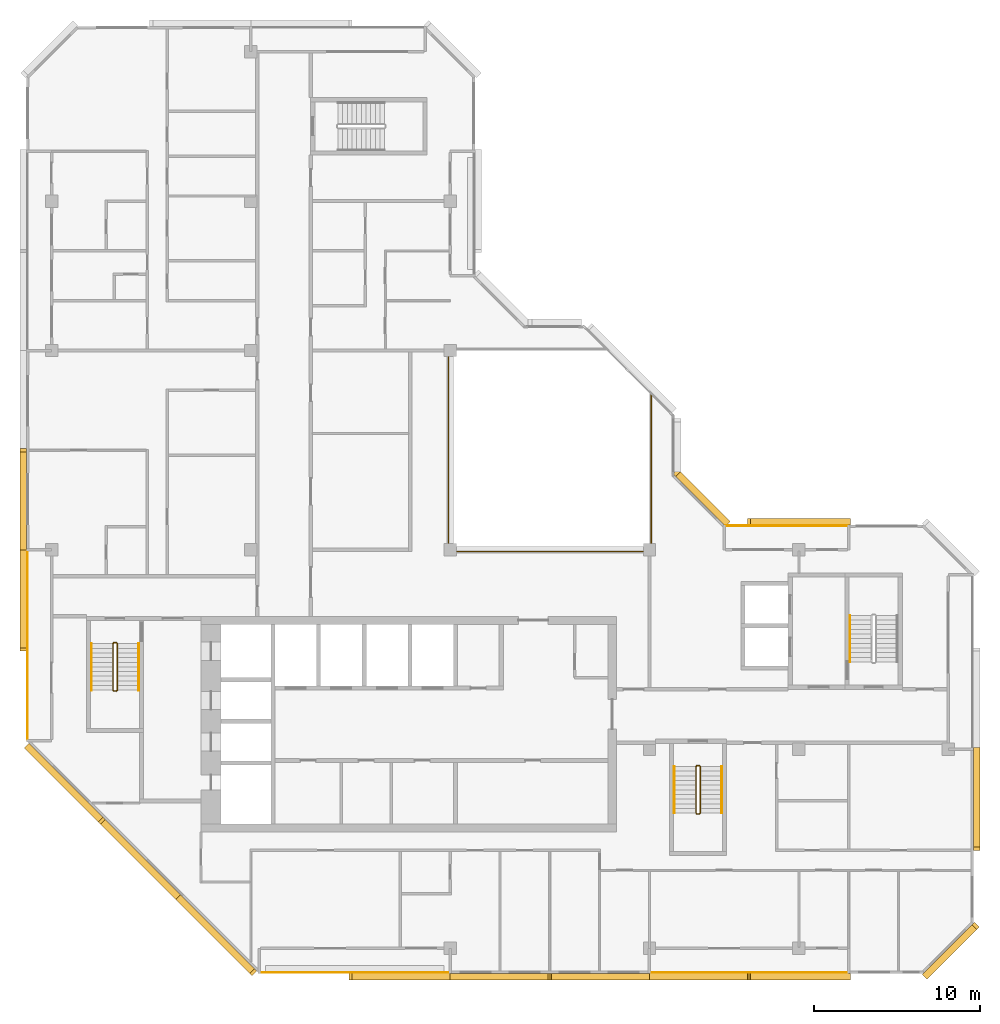
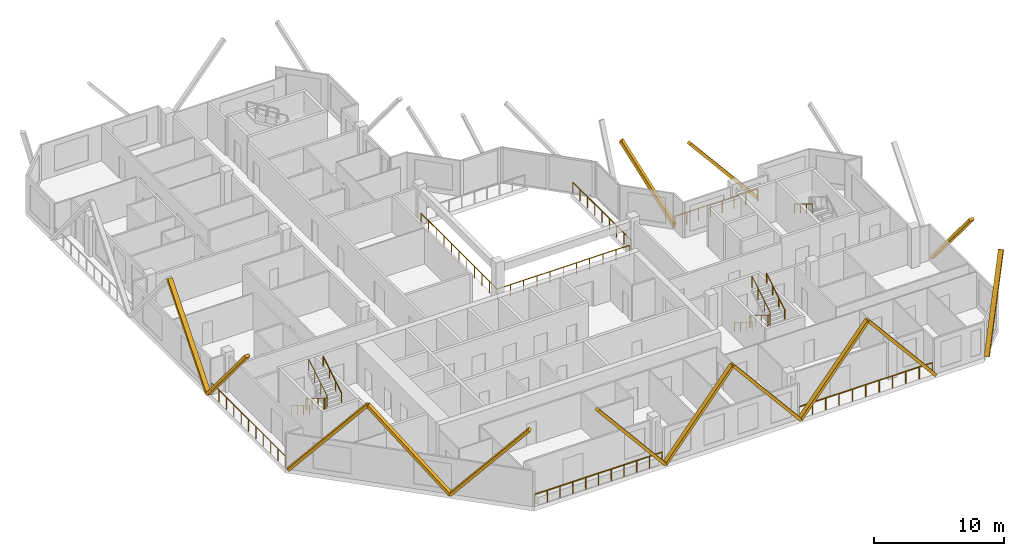
# One storey, part 11 of 12: 14 coverings, 13 railings.
"""IFC4 building model written with IfcOpenShell, lengths in metres."""

from ifc_helpers import new_model, si_unit, direction, frame, origin, origin_2d, place, context, subcontext, project, spatial, rectangle, extrude, material, material_profile, profile_set, type_object, element, save


model = new_model("IFC4")

# Units and contexts
model_context = context("Model", 3, precision=1e-05, world=origin(), true_north=direction((0.0, 1.0)))
body_context = subcontext(model_context, "Body", "Model", "MODEL_VIEW")
ifc_project = project(units=[si_unit("LENGTHUNIT", "METRE"), si_unit("AREAUNIT", "SQUARE_METRE"), si_unit("VOLUMEUNIT", "CUBIC_METRE"), si_unit("PLANEANGLEUNIT", "RADIAN"), si_unit("MASSUNIT", "GRAM", prefix="KILO")], contexts=[model_context])

# Site, building, storey
site_placement = place(None, origin())
site = spatial("IfcSite", under=ifc_project, at=site_placement, CompositionType="ELEMENT")
building_placement = place(site_placement, origin())
building = spatial("IfcBuilding", under=site, at=building_placement, Name="Chenar Terraces", CompositionType="ELEMENT")
storey_placement = place(building_placement, frame((0.0, 0.0, 346.39990234375)))
storey = spatial("IfcBuildingStorey", under=building, at=storey_placement, Name="L80", CompositionType="ELEMENT", Elevation=346.39990234375)

# Railings
ifc_material_1 = material(Name="Powder-coated steel", Category="steel")
railing_type_1 = type_object("IfcRailingType", Name="Guard 1100 steel rail with glass infill", PredefinedType="GUARDRAIL", material=ifc_material_1)
railing_1_placement = place(storey_placement, frame((23.89990234375, 35.625, 0.0)))
element("IfcRailing", 1, at=railing_1_placement, inside=storey, type_object=railing_type_1, Name="Guard L80-1", PredefinedType="GUARDRAIL", context=body_context, shape_type="SweptSolid", body=[
    extrude(rectangle(XDim=0.06005859375, YDim=0.06005859375, at=origin_2d()), frame((0.0, 0.0, 1.070068359375), z_axis=(0.0, -1.0, 0.0), x_axis=(1.0, 0.0, 0.0)), (0.0, 0.0, 1.0), 11.72509765625),
    extrude(rectangle(XDim=0.06005859375, YDim=0.06005859375, at=origin_2d()), frame((0.0, -11.72509765625, 1.070068359375), z_axis=(1.0, 0.0, 0.0), x_axis=(0.0, 1.0, 0.0)), (0.0, 0.0, 1.0), 11.72509765625),
    extrude(rectangle(XDim=0.050048828125, YDim=0.050048828125, at=origin_2d()), origin(), (0.0, 0.0, 1.0), 1.0400390625),
    extrude(rectangle(XDim=0.050048828125, YDim=0.050048828125, at=origin_2d()), frame((0.0, -1.172607421875, 0.0)), (0.0, 0.0, 1.0), 1.0400390625),
    extrude(rectangle(XDim=0.050048828125, YDim=0.050048828125, at=origin_2d()), frame((0.0, -2.344970703125, 0.0)), (0.0, 0.0, 1.0), 1.0400390625),
    extrude(rectangle(XDim=0.050048828125, YDim=0.050048828125, at=origin_2d()), frame((0.0, -3.517578125, 0.0)), (0.0, 0.0, 1.0), 1.0400390625),
    extrude(rectangle(XDim=0.050048828125, YDim=0.050048828125, at=origin_2d()), frame((0.0, -4.68994140625, 0.0)), (0.0, 0.0, 1.0), 1.0400390625),
    extrude(rectangle(XDim=0.050048828125, YDim=0.050048828125, at=origin_2d()), frame((0.0, -5.862548828125, 0.0)), (0.0, 0.0, 1.0), 1.0400390625),
    extrude(rectangle(XDim=0.050048828125, YDim=0.050048828125, at=origin_2d()), frame((0.0, -7.03515625, 0.0)), (0.0, 0.0, 1.0), 1.0400390625),
    extrude(rectangle(XDim=0.050048828125, YDim=0.050048828125, at=origin_2d()), frame((0.0, -8.20751953125, 0.0)), (0.0, 0.0, 1.0), 1.0400390625),
    extrude(rectangle(XDim=0.050048828125, YDim=0.050048828125, at=origin_2d()), frame((0.0, -9.380126953125, 0.0)), (0.0, 0.0, 1.0), 1.0400390625),
    extrude(rectangle(XDim=0.050048828125, YDim=0.050048828125, at=origin_2d()), frame((0.0, -10.552490234375, 0.0)), (0.0, 0.0, 1.0), 1.0400390625),
    extrude(rectangle(XDim=0.050048828125, YDim=0.050048828125, at=origin_2d()), frame((0.0, -11.72509765625, 0.0)), (0.0, 0.0, 1.0), 1.0400390625),
    extrude(rectangle(XDim=0.050048828125, YDim=0.050048828125, at=origin_2d()), frame((1.172607421875, -11.72509765625, 0.0)), (0.0, 0.0, 1.0), 1.0400390625),
    extrude(rectangle(XDim=0.050048828125, YDim=0.050048828125, at=origin_2d()), frame((2.344970703125, -11.72509765625, 0.0)), (0.0, 0.0, 1.0), 1.0400390625),
    extrude(rectangle(XDim=0.050048828125, YDim=0.050048828125, at=origin_2d()), frame((3.517578125, -11.72509765625, 0.0)), (0.0, 0.0, 1.0), 1.0400390625),
    extrude(rectangle(XDim=0.050048828125, YDim=0.050048828125, at=origin_2d()), frame((4.68994140625, -11.72509765625, 0.0)), (0.0, 0.0, 1.0), 1.0400390625),
    extrude(rectangle(XDim=0.050048828125, YDim=0.050048828125, at=origin_2d()), frame((5.862548828125, -11.72509765625, 0.0)), (0.0, 0.0, 1.0), 1.0400390625),
    extrude(rectangle(XDim=0.050048828125, YDim=0.050048828125, at=origin_2d()), frame((7.03515625, -11.72509765625, 0.0)), (0.0, 0.0, 1.0), 1.0400390625),
    extrude(rectangle(XDim=0.050048828125, YDim=0.050048828125, at=origin_2d()), frame((8.20751953125, -11.72509765625, 0.0)), (0.0, 0.0, 1.0), 1.0400390625),
    extrude(rectangle(XDim=0.050048828125, YDim=0.050048828125, at=origin_2d()), frame((9.380126953125, -11.72509765625, 0.0)), (0.0, 0.0, 1.0), 1.0400390625),
    extrude(rectangle(XDim=0.050048828125, YDim=0.050048828125, at=origin_2d()), frame((10.552490234375, -11.72509765625, 0.0)), (0.0, 0.0, 1.0), 1.0400390625),
    extrude(rectangle(XDim=0.050048828125, YDim=0.050048828125, at=origin_2d()), frame((11.72509765625, -11.72509765625, 0.0)), (0.0, 0.0, 1.0), 1.0400390625),
])
railing_2_placement = place(storey_placement, frame((36.10009765625, 24.425048828125, 0.0)))
element("IfcRailing", 2, at=railing_2_placement, inside=storey, type_object=railing_type_1, Name="Guard L80-3", PredefinedType="GUARDRAIL", context=body_context, shape_type="SweptSolid", body=[
    extrude(rectangle(XDim=0.06005859375, YDim=0.06005859375, at=origin_2d()), frame((0.0, 0.0, 1.070068359375), z_axis=(0.0, 1.0, 0.0), x_axis=(-1.0, 0.0, 0.0)), (0.0, 0.0, 1.0), 8.974853515625),
    extrude(rectangle(XDim=0.050048828125, YDim=0.050048828125, at=origin_2d()), origin(), (0.0, 0.0, 1.0), 1.0400390625),
    extrude(rectangle(XDim=0.050048828125, YDim=0.050048828125, at=origin_2d()), frame((0.0, 1.121826171875, 0.0)), (0.0, 0.0, 1.0), 1.0400390625),
    extrude(rectangle(XDim=0.050048828125, YDim=0.050048828125, at=origin_2d()), frame((0.0, 2.24365234375, 0.0)), (0.0, 0.0, 1.0), 1.0400390625),
    extrude(rectangle(XDim=0.050048828125, YDim=0.050048828125, at=origin_2d()), frame((0.0, 3.365478515625, 0.0)), (0.0, 0.0, 1.0), 1.0400390625),
    extrude(rectangle(XDim=0.050048828125, YDim=0.050048828125, at=origin_2d()), frame((0.0, 4.4873046875, 0.0)), (0.0, 0.0, 1.0), 1.0400390625),
    extrude(rectangle(XDim=0.050048828125, YDim=0.050048828125, at=origin_2d()), frame((0.0, 5.609375, 0.0)), (0.0, 0.0, 1.0), 1.0400390625),
    extrude(rectangle(XDim=0.050048828125, YDim=0.050048828125, at=origin_2d()), frame((0.0, 6.731201171875, 0.0)), (0.0, 0.0, 1.0), 1.0400390625),
    extrude(rectangle(XDim=0.050048828125, YDim=0.050048828125, at=origin_2d()), frame((0.0, 7.85302734375, 0.0)), (0.0, 0.0, 1.0), 1.0400390625),
    extrude(rectangle(XDim=0.050048828125, YDim=0.050048828125, at=origin_2d()), frame((0.0, 8.974853515625, 0.0)), (0.0, 0.0, 1.0), 1.0400390625),
])
ifc_material_2 = material(Name="Stainless steel and glass", Category="steel")
railing_type_2 = type_object("IfcRailingType", Name="Loggia guard 1150", PredefinedType="GUARDRAIL", material=ifc_material_2)
railing_3_placement = place(storey_placement, frame((47.925048828125, 25.449951171875, 0.0)))
element("IfcRailing", 3, at=railing_3_placement, inside=storey, type_object=railing_type_2, Name="Loggia guard", PredefinedType="GUARDRAIL", context=body_context, shape_type="SweptSolid", body=[
    extrude(rectangle(XDim=0.048095703125, YDim=0.048095703125, at=origin_2d()), frame((0.0, 0.0, 1.1259765625), z_axis=(-1.0, 0.0, 0.0), x_axis=(0.0, -1.0, 0.0)), (0.0, 0.0, 1.0), 7.35009765625),
    extrude(rectangle(XDim=0.0419921875, YDim=0.0419921875, at=origin_2d()), origin(), (0.0, 0.0, 1.0), 1.101806640625),
    extrude(rectangle(XDim=0.0419921875, YDim=0.0419921875, at=origin_2d()), frame((-1.050048828125, 0.0, 0.0)), (0.0, 0.0, 1.0), 1.101806640625),
    extrude(rectangle(XDim=0.0419921875, YDim=0.0419921875, at=origin_2d()), frame((-2.10009765625, 0.0, 0.0)), (0.0, 0.0, 1.0), 1.101806640625),
    extrude(rectangle(XDim=0.0419921875, YDim=0.0419921875, at=origin_2d()), frame((-3.150146484375, 0.0, 0.0)), (0.0, 0.0, 1.0), 1.101806640625),
    extrude(rectangle(XDim=0.0419921875, YDim=0.0419921875, at=origin_2d()), frame((-4.199951171875, 0.0, 0.0)), (0.0, 0.0, 1.0), 1.101806640625),
    extrude(rectangle(XDim=0.0419921875, YDim=0.0419921875, at=origin_2d()), frame((-5.25, 0.0, 0.0)), (0.0, 0.0, 1.0), 1.101806640625),
    extrude(rectangle(XDim=0.0419921875, YDim=0.0419921875, at=origin_2d()), frame((-6.300048828125, 0.0, 0.0)), (0.0, 0.0, 1.0), 1.101806640625),
    extrude(rectangle(XDim=0.0419921875, YDim=0.0419921875, at=origin_2d()), frame((-7.35009765625, 0.0, 0.0)), (0.0, 0.0, 1.0), 1.101806640625),
])
railing_4_placement = place(storey_placement, frame((12.574951171875, -1.449951171875, 0.0)))
element("IfcRailing", 4, at=railing_4_placement, inside=storey, type_object=railing_type_2, Name="Loggia guard", PredefinedType="GUARDRAIL", context=body_context, shape_type="SweptSolid", body=[
    extrude(rectangle(XDim=0.048095703125, YDim=0.048095703125, at=origin_2d()), frame((0.0, 0.0, 1.1259765625), z_axis=(1.0, 0.0, 0.0), x_axis=(0.0, 1.0, 0.0)), (0.0, 0.0, 1.0), 11.35009765625),
    extrude(rectangle(XDim=0.0419921875, YDim=0.0419921875, at=origin_2d()), origin(), (0.0, 0.0, 1.0), 1.101806640625),
    extrude(rectangle(XDim=0.0419921875, YDim=0.0419921875, at=origin_2d()), frame((1.135009765625, 0.0, 0.0)), (0.0, 0.0, 1.0), 1.101806640625),
    extrude(rectangle(XDim=0.0419921875, YDim=0.0419921875, at=origin_2d()), frame((2.27001953125, 0.0, 0.0)), (0.0, 0.0, 1.0), 1.101806640625),
    extrude(rectangle(XDim=0.0419921875, YDim=0.0419921875, at=origin_2d()), frame((3.405029296875, 0.0, 0.0)), (0.0, 0.0, 1.0), 1.101806640625),
    extrude(rectangle(XDim=0.0419921875, YDim=0.0419921875, at=origin_2d()), frame((4.5400390625, 0.0, 0.0)), (0.0, 0.0, 1.0), 1.101806640625),
    extrude(rectangle(XDim=0.0419921875, YDim=0.0419921875, at=origin_2d()), frame((5.675048828125, 0.0, 0.0)), (0.0, 0.0, 1.0), 1.101806640625),
    extrude(rectangle(XDim=0.0419921875, YDim=0.0419921875, at=origin_2d()), frame((6.81005859375, 0.0, 0.0)), (0.0, 0.0, 1.0), 1.101806640625),
    extrude(rectangle(XDim=0.0419921875, YDim=0.0419921875, at=origin_2d()), frame((7.945068359375, 0.0, 0.0)), (0.0, 0.0, 1.0), 1.101806640625),
    extrude(rectangle(XDim=0.0419921875, YDim=0.0419921875, at=origin_2d()), frame((9.080078125, 0.0, 0.0)), (0.0, 0.0, 1.0), 1.101806640625),
    extrude(rectangle(XDim=0.0419921875, YDim=0.0419921875, at=origin_2d()), frame((10.215087890625, 0.0, 0.0)), (0.0, 0.0, 1.0), 1.101806640625),
    extrude(rectangle(XDim=0.0419921875, YDim=0.0419921875, at=origin_2d()), frame((11.35009765625, 0.0, 0.0)), (0.0, 0.0, 1.0), 1.101806640625),
])
railing_5_placement = place(storey_placement, frame((36.074951171875, -1.449951171875, 0.0)))
element("IfcRailing", 5, at=railing_5_placement, inside=storey, type_object=railing_type_2, Name="Loggia guard", PredefinedType="GUARDRAIL", context=body_context, shape_type="SweptSolid", body=[
    extrude(rectangle(XDim=0.048095703125, YDim=0.048095703125, at=origin_2d()), frame((0.0, 0.0, 1.1259765625), z_axis=(1.0, 0.0, 0.0), x_axis=(0.0, 1.0, 0.0)), (0.0, 0.0, 1.0), 11.85009765625),
    extrude(rectangle(XDim=0.0419921875, YDim=0.0419921875, at=origin_2d()), origin(), (0.0, 0.0, 1.0), 1.101806640625),
    extrude(rectangle(XDim=0.0419921875, YDim=0.0419921875, at=origin_2d()), frame((1.18505859375, 0.0, 0.0)), (0.0, 0.0, 1.0), 1.101806640625),
    extrude(rectangle(XDim=0.0419921875, YDim=0.0419921875, at=origin_2d()), frame((2.3701171875, 0.0, 0.0)), (0.0, 0.0, 1.0), 1.101806640625),
    extrude(rectangle(XDim=0.0419921875, YDim=0.0419921875, at=origin_2d()), frame((3.554931640625, 0.0, 0.0)), (0.0, 0.0, 1.0), 1.101806640625),
    extrude(rectangle(XDim=0.0419921875, YDim=0.0419921875, at=origin_2d()), frame((4.739990234375, 0.0, 0.0)), (0.0, 0.0, 1.0), 1.101806640625),
    extrude(rectangle(XDim=0.0419921875, YDim=0.0419921875, at=origin_2d()), frame((5.925048828125, 0.0, 0.0)), (0.0, 0.0, 1.0), 1.101806640625),
    extrude(rectangle(XDim=0.0419921875, YDim=0.0419921875, at=origin_2d()), frame((7.110107421875, 0.0, 0.0)), (0.0, 0.0, 1.0), 1.101806640625),
    extrude(rectangle(XDim=0.0419921875, YDim=0.0419921875, at=origin_2d()), frame((8.295166015625, 0.0, 0.0)), (0.0, 0.0, 1.0), 1.101806640625),
    extrude(rectangle(XDim=0.0419921875, YDim=0.0419921875, at=origin_2d()), frame((9.47998046875, 0.0, 0.0)), (0.0, 0.0, 1.0), 1.101806640625),
    extrude(rectangle(XDim=0.0419921875, YDim=0.0419921875, at=origin_2d()), frame((10.6650390625, 0.0, 0.0)), (0.0, 0.0, 1.0), 1.101806640625),
    extrude(rectangle(XDim=0.0419921875, YDim=0.0419921875, at=origin_2d()), frame((11.85009765625, 0.0, 0.0)), (0.0, 0.0, 1.0), 1.101806640625),
])
railing_6_placement = place(storey_placement, frame((-1.449951171875, 23.925048828125, 0.0)))
element("IfcRailing", 6, at=railing_6_placement, inside=storey, type_object=railing_type_2, Name="Loggia guard", PredefinedType="GUARDRAIL", context=body_context, shape_type="SweptSolid", body=[
    extrude(rectangle(XDim=0.048095703125, YDim=0.048095703125, at=origin_2d()), frame((0.0, 0.0, 1.1259765625), z_axis=(0.0, -1.0, 0.0), x_axis=(1.0, 0.0, 0.0)), (0.0, 0.0, 1.0), 11.35009765625),
    extrude(rectangle(XDim=0.0419921875, YDim=0.0419921875, at=origin_2d()), origin(), (0.0, 0.0, 1.0), 1.101806640625),
    extrude(rectangle(XDim=0.0419921875, YDim=0.0419921875, at=origin_2d()), frame((0.0, -1.135009765625, 0.0)), (0.0, 0.0, 1.0), 1.101806640625),
    extrude(rectangle(XDim=0.0419921875, YDim=0.0419921875, at=origin_2d()), frame((0.0, -2.27001953125, 0.0)), (0.0, 0.0, 1.0), 1.101806640625),
    extrude(rectangle(XDim=0.0419921875, YDim=0.0419921875, at=origin_2d()), frame((0.0, -3.405029296875, 0.0)), (0.0, 0.0, 1.0), 1.101806640625),
    extrude(rectangle(XDim=0.0419921875, YDim=0.0419921875, at=origin_2d()), frame((0.0, -4.5400390625, 0.0)), (0.0, 0.0, 1.0), 1.101806640625),
    extrude(rectangle(XDim=0.0419921875, YDim=0.0419921875, at=origin_2d()), frame((0.0, -5.675048828125, 0.0)), (0.0, 0.0, 1.0), 1.101806640625),
    extrude(rectangle(XDim=0.0419921875, YDim=0.0419921875, at=origin_2d()), frame((0.0, -6.81005859375, 0.0)), (0.0, 0.0, 1.0), 1.101806640625),
    extrude(rectangle(XDim=0.0419921875, YDim=0.0419921875, at=origin_2d()), frame((0.0, -7.945068359375, 0.0)), (0.0, 0.0, 1.0), 1.101806640625),
    extrude(rectangle(XDim=0.0419921875, YDim=0.0419921875, at=origin_2d()), frame((0.0, -9.080078125, 0.0)), (0.0, 0.0, 1.0), 1.101806640625),
    extrude(rectangle(XDim=0.0419921875, YDim=0.0419921875, at=origin_2d()), frame((0.0, -10.215087890625, 0.0)), (0.0, 0.0, 1.0), 1.101806640625),
    extrude(rectangle(XDim=0.0419921875, YDim=0.0419921875, at=origin_2d()), frame((0.0, -11.35009765625, 0.0)), (0.0, 0.0, 1.0), 1.101806640625),
])
ifc_material_3 = material(Name="Powder-coated steel", Category="steel")
railing_type_3 = type_object("IfcRailingType", Name="Stair guard 1100", PredefinedType="GUARDRAIL", material=ifc_material_3)
railing_7_placement = place(storey_placement, frame((3.949951171875, 18.35009765625, 3.75)))
element("IfcRailing", 7, at=railing_7_placement, inside=storey, type_object=railing_type_3, Name="L80 ST1 stair guard 1", PredefinedType="GUARDRAIL", context=body_context, shape_type="SweptSolid", body=[
    extrude(rectangle(XDim=0.048095703125, YDim=0.048095703125, at=origin_2d()), frame((0.0, 0.0, 1.076171875), z_axis=(0.0, -0.854202870247, -0.519939858505), x_axis=(1.0, 0.0, 0.0)), (0.0, 0.0, 1.0), 3.278076171875),
    extrude(rectangle(XDim=0.048095703125, YDim=0.048095703125, at=origin_2d()), frame((0.0, -2.800048828125, -0.62841796875), z_axis=(-0.270899902878, -0.270899902878, -0.923702595667), x_axis=(0.707106781187, -0.707106781187, 0.0)), (0.0, 0.0, 1.0), 0.184814453125),
    extrude(rectangle(XDim=0.048095703125, YDim=0.048095703125, at=origin_2d()), frame((-0.050048828125, -2.85009765625, -0.798828125), z_axis=(-1.0, 0.0, 0.0), x_axis=(0.0, -1.0, 0.0)), (0.0, 0.0, 1.0), 0.14990234375),
    extrude(rectangle(XDim=0.048095703125, YDim=0.048095703125, at=origin_2d()), frame((-0.199951171875, -2.85009765625, -0.798828125), z_axis=(-0.707106781187, 0.707106781187, 0.0), x_axis=(-0.707106781187, -0.707106781187, 0.0)), (0.0, 0.0, 1.0), 0.07080078125),
    extrude(rectangle(XDim=0.048095703125, YDim=0.048095703125, at=origin_2d()), frame((-0.25, -2.800048828125, -0.798828125), z_axis=(0.0, 0.854202870247, -0.519939858505), x_axis=(-1.0, 0.0, 0.0)), (0.0, 0.0, 1.0), 3.278076171875),
    extrude(rectangle(XDim=0.048095703125, YDim=0.048095703125, at=origin_2d()), frame((-0.25, 0.0, -2.50341796875), z_axis=(0.270996696079, 0.269674760976, -0.924032636873), x_axis=(-0.705375805398, 0.708833529934, 0.0)), (0.0, 0.0, 1.0), 0.1845703125),
    extrude(rectangle(XDim=0.048095703125, YDim=0.048095703125, at=origin_2d()), frame((-0.199951171875, 0.0498046875, -2.673828125), z_axis=(1.0, 0.0, 0.0), x_axis=(0.0, 1.0, 0.0)), (0.0, 0.0, 1.0), 0.14990234375),
    extrude(rectangle(XDim=0.0419921875, YDim=0.0419921875, at=origin_2d()), origin(), (0.0, 0.0, 1.0), 1.052001953125),
    extrude(rectangle(XDim=0.0419921875, YDim=0.0419921875, at=origin_2d()), frame((0.0, -0.933349609375, -0.568115234375)), (0.0, 0.0, 1.0), 1.052001953125),
    extrude(rectangle(XDim=0.0419921875, YDim=0.0419921875, at=origin_2d()), frame((0.0, -1.86669921875, -1.13623046875)), (0.0, 0.0, 1.0), 1.052001953125),
    extrude(rectangle(XDim=0.0419921875, YDim=0.0419921875, at=origin_2d()), frame((0.0, -2.800048828125, -1.704345703125)), (0.0, 0.0, 1.0), 1.052001953125),
    extrude(rectangle(XDim=0.0419921875, YDim=0.0419921875, at=origin_2d()), frame((-0.050048828125, -2.85009765625, -1.875)), (0.0, 0.0, 1.0), 1.052001953125),
    extrude(rectangle(XDim=0.0419921875, YDim=0.0419921875, at=origin_2d()), frame((-0.199951171875, -2.85009765625, -1.875)), (0.0, 0.0, 1.0), 1.052001953125),
    extrude(rectangle(XDim=0.0419921875, YDim=0.0419921875, at=origin_2d()), frame((-0.25, -2.800048828125, -1.875)), (0.0, 0.0, 1.0), 1.052001953125),
    extrude(rectangle(XDim=0.0419921875, YDim=0.0419921875, at=origin_2d()), frame((-0.25, -1.86669921875, -2.443115234375)), (0.0, 0.0, 1.0), 1.052001953125),
    extrude(rectangle(XDim=0.0419921875, YDim=0.0419921875, at=origin_2d()), frame((-0.25, -0.933349609375, -3.01123046875)), (0.0, 0.0, 1.0), 1.052001953125),
    extrude(rectangle(XDim=0.0419921875, YDim=0.0419921875, at=origin_2d()), frame((-0.25, 0.0, -3.579345703125)), (0.0, 0.0, 1.0), 1.052001953125),
    extrude(rectangle(XDim=0.0419921875, YDim=0.0419921875, at=origin_2d()), frame((-0.199951171875, 0.0498046875, -3.75)), (0.0, 0.0, 1.0), 1.052001953125),
    extrude(rectangle(XDim=0.0419921875, YDim=0.0419921875, at=origin_2d()), frame((-0.050048828125, 0.0498046875, -3.75)), (0.0, 0.0, 1.0), 1.052001953125),
])
railing_8_placement = place(storey_placement, frame((39.050048828125, 10.949951171875, 3.75)))
element("IfcRailing", 8, at=railing_8_placement, inside=storey, type_object=railing_type_3, Name="L80 ST2 stair guard 1", PredefinedType="GUARDRAIL", context=body_context, shape_type="SweptSolid", body=[
    extrude(rectangle(XDim=0.048095703125, YDim=0.048095703125, at=origin_2d()), frame((0.0, 0.0, 1.076171875), z_axis=(0.0, -0.854202870247, -0.519939858505), x_axis=(1.0, 0.0, 0.0)), (0.0, 0.0, 1.0), 3.278076171875),
    extrude(rectangle(XDim=0.048095703125, YDim=0.048095703125, at=origin_2d()), frame((0.0, -2.800048828125, -0.62841796875), z_axis=(-0.270996696079, -0.269674760976, -0.924032636873), x_axis=(0.705375805398, -0.708833529934, 0.0)), (0.0, 0.0, 1.0), 0.1845703125),
    extrude(rectangle(XDim=0.048095703125, YDim=0.048095703125, at=origin_2d()), frame((-0.050048828125, -2.849853515625, -0.798828125), z_axis=(-1.0, 0.0, 0.0), x_axis=(0.0, -1.0, 0.0)), (0.0, 0.0, 1.0), 0.14990234375),
    extrude(rectangle(XDim=0.048095703125, YDim=0.048095703125, at=origin_2d()), frame((-0.199951171875, -2.849853515625, -0.798828125), z_axis=(-0.708833529934, 0.705375805398, 0.0), x_axis=(-0.705375805398, -0.708833529934, 0.0)), (0.0, 0.0, 1.0), 0.070556640625),
    extrude(rectangle(XDim=0.048095703125, YDim=0.048095703125, at=origin_2d()), frame((-0.25, -2.800048828125, -0.798828125), z_axis=(0.0, 0.854202870247, -0.519939858505), x_axis=(-1.0, 0.0, 0.0)), (0.0, 0.0, 1.0), 3.278076171875),
    extrude(rectangle(XDim=0.048095703125, YDim=0.048095703125, at=origin_2d()), frame((-0.25, 0.0, -2.50341796875), z_axis=(0.270899902878, 0.270899902878, -0.923702595667), x_axis=(-0.707106781187, 0.707106781187, 0.0)), (0.0, 0.0, 1.0), 0.184814453125),
    extrude(rectangle(XDim=0.048095703125, YDim=0.048095703125, at=origin_2d()), frame((-0.199951171875, 0.050048828125, -2.673828125), z_axis=(1.0, 0.0, 0.0), x_axis=(0.0, 1.0, 0.0)), (0.0, 0.0, 1.0), 0.14990234375),
    extrude(rectangle(XDim=0.0419921875, YDim=0.0419921875, at=origin_2d()), origin(), (0.0, 0.0, 1.0), 1.052001953125),
    extrude(rectangle(XDim=0.0419921875, YDim=0.0419921875, at=origin_2d()), frame((0.0, -0.933349609375, -0.568115234375)), (0.0, 0.0, 1.0), 1.052001953125),
    extrude(rectangle(XDim=0.0419921875, YDim=0.0419921875, at=origin_2d()), frame((0.0, -1.86669921875, -1.13623046875)), (0.0, 0.0, 1.0), 1.052001953125),
    extrude(rectangle(XDim=0.0419921875, YDim=0.0419921875, at=origin_2d()), frame((0.0, -2.800048828125, -1.704345703125)), (0.0, 0.0, 1.0), 1.052001953125),
    extrude(rectangle(XDim=0.0419921875, YDim=0.0419921875, at=origin_2d()), frame((-0.050048828125, -2.849853515625, -1.875)), (0.0, 0.0, 1.0), 1.052001953125),
    extrude(rectangle(XDim=0.0419921875, YDim=0.0419921875, at=origin_2d()), frame((-0.199951171875, -2.849853515625, -1.875)), (0.0, 0.0, 1.0), 1.052001953125),
    extrude(rectangle(XDim=0.0419921875, YDim=0.0419921875, at=origin_2d()), frame((-0.25, -2.800048828125, -1.875)), (0.0, 0.0, 1.0), 1.052001953125),
    extrude(rectangle(XDim=0.0419921875, YDim=0.0419921875, at=origin_2d()), frame((-0.25, -1.86669921875, -2.443115234375)), (0.0, 0.0, 1.0), 1.052001953125),
    extrude(rectangle(XDim=0.0419921875, YDim=0.0419921875, at=origin_2d()), frame((-0.25, -0.933349609375, -3.01123046875)), (0.0, 0.0, 1.0), 1.052001953125),
    extrude(rectangle(XDim=0.0419921875, YDim=0.0419921875, at=origin_2d()), frame((-0.25, 0.0, -3.579345703125)), (0.0, 0.0, 1.0), 1.052001953125),
    extrude(rectangle(XDim=0.0419921875, YDim=0.0419921875, at=origin_2d()), frame((-0.199951171875, 0.050048828125, -3.75)), (0.0, 0.0, 1.0), 1.052001953125),
    extrude(rectangle(XDim=0.0419921875, YDim=0.0419921875, at=origin_2d()), frame((-0.050048828125, 0.050048828125, -3.75)), (0.0, 0.0, 1.0), 1.052001953125),
])
ifc_material_4 = material(Name="Powder-coated steel", Category="steel")
railing_type_4 = type_object("IfcRailingType", Name="Stair handrail 900", PredefinedType="HANDRAIL", material=ifc_material_4)
railing_9_placement = place(storey_placement, frame((2.39990234375, 18.35009765625, 0.170654296875)))
element("IfcRailing", 9, at=railing_9_placement, inside=storey, type_object=railing_type_4, Name="L80 ST1 stair handrail 1", PredefinedType="HANDRAIL", context=body_context, shape_type="SweptSolid", body=[
    extrude(rectangle(XDim=0.048095703125, YDim=0.048095703125, at=origin_2d()), frame((0.0, 0.0, 0.8759765625), z_axis=(0.0, -0.854202870247, 0.519939858505), x_axis=(1.0, 0.0, 0.0)), (0.0, 0.0, 1.0), 3.278076171875),
    extrude(rectangle(XDim=0.0419921875, YDim=0.0419921875, at=origin_2d()), origin(), (0.0, 0.0, 1.0), 0.851806640625),
    extrude(rectangle(XDim=0.0419921875, YDim=0.0419921875, at=origin_2d()), frame((0.0, -0.933349609375, 0.568115234375)), (0.0, 0.0, 1.0), 0.851806640625),
    extrude(rectangle(XDim=0.0419921875, YDim=0.0419921875, at=origin_2d()), frame((0.0, -1.86669921875, 1.13623046875)), (0.0, 0.0, 1.0), 0.851806640625),
    extrude(rectangle(XDim=0.0419921875, YDim=0.0419921875, at=origin_2d()), frame((0.0, -2.800048828125, 1.704345703125)), (0.0, 0.0, 1.0), 0.851806640625),
])
railing_10_placement = place(storey_placement, frame((5.25, 15.550048828125, 2.045654296875)))
element("IfcRailing", 10, at=railing_10_placement, inside=storey, type_object=railing_type_4, Name="L80 ST1 stair handrail 2", PredefinedType="HANDRAIL", context=body_context, shape_type="SweptSolid", body=[
    extrude(rectangle(XDim=0.048095703125, YDim=0.048095703125, at=origin_2d()), frame((0.0, 0.0, 0.8759765625), z_axis=(0.0, 0.854202870247, 0.519939858505), x_axis=(-1.0, 0.0, 0.0)), (0.0, 0.0, 1.0), 3.278076171875),
    extrude(rectangle(XDim=0.0419921875, YDim=0.0419921875, at=origin_2d()), origin(), (0.0, 0.0, 1.0), 0.851806640625),
    extrude(rectangle(XDim=0.0419921875, YDim=0.0419921875, at=origin_2d()), frame((0.0, 0.933349609375, 0.568115234375)), (0.0, 0.0, 1.0), 0.851806640625),
    extrude(rectangle(XDim=0.0419921875, YDim=0.0419921875, at=origin_2d()), frame((0.0, 1.86669921875, 1.13623046875)), (0.0, 0.0, 1.0), 0.851806640625),
    extrude(rectangle(XDim=0.0419921875, YDim=0.0419921875, at=origin_2d()), frame((0.0, 2.800048828125, 1.704345703125)), (0.0, 0.0, 1.0), 0.851806640625),
])
railing_11_placement = place(storey_placement, frame((37.5, 10.949951171875, 0.170654296875)))
element("IfcRailing", 11, at=railing_11_placement, inside=storey, type_object=railing_type_4, Name="L80 ST2 stair handrail 1", PredefinedType="HANDRAIL", context=body_context, shape_type="SweptSolid", body=[
    extrude(rectangle(XDim=0.048095703125, YDim=0.048095703125, at=origin_2d()), frame((0.0, 0.0, 0.8759765625), z_axis=(0.0, -0.854202870247, 0.519939858505), x_axis=(1.0, 0.0, 0.0)), (0.0, 0.0, 1.0), 3.278076171875),
    extrude(rectangle(XDim=0.0419921875, YDim=0.0419921875, at=origin_2d()), origin(), (0.0, 0.0, 1.0), 0.851806640625),
    extrude(rectangle(XDim=0.0419921875, YDim=0.0419921875, at=origin_2d()), frame((0.0, -0.933349609375, 0.568115234375)), (0.0, 0.0, 1.0), 0.851806640625),
    extrude(rectangle(XDim=0.0419921875, YDim=0.0419921875, at=origin_2d()), frame((0.0, -1.86669921875, 1.13623046875)), (0.0, 0.0, 1.0), 0.851806640625),
    extrude(rectangle(XDim=0.0419921875, YDim=0.0419921875, at=origin_2d()), frame((0.0, -2.800048828125, 1.704345703125)), (0.0, 0.0, 1.0), 0.851806640625),
])
railing_12_placement = place(storey_placement, frame((40.35009765625, 8.14990234375, 2.045654296875)))
element("IfcRailing", 12, at=railing_12_placement, inside=storey, type_object=railing_type_4, Name="L80 ST2 stair handrail 2", PredefinedType="HANDRAIL", context=body_context, shape_type="SweptSolid", body=[
    extrude(rectangle(XDim=0.048095703125, YDim=0.048095703125, at=origin_2d()), frame((0.0, 0.0, 0.8759765625), z_axis=(0.0, 0.854202870247, 0.519939858505), x_axis=(-1.0, 0.0, 0.0)), (0.0, 0.0, 1.0), 3.278076171875),
    extrude(rectangle(XDim=0.0419921875, YDim=0.0419921875, at=origin_2d()), origin(), (0.0, 0.0, 1.0), 0.851806640625),
    extrude(rectangle(XDim=0.0419921875, YDim=0.0419921875, at=origin_2d()), frame((0.0, 0.933349609375, 0.568115234375)), (0.0, 0.0, 1.0), 0.851806640625),
    extrude(rectangle(XDim=0.0419921875, YDim=0.0419921875, at=origin_2d()), frame((0.0, 1.86669921875, 1.13623046875)), (0.0, 0.0, 1.0), 0.851806640625),
    extrude(rectangle(XDim=0.0419921875, YDim=0.0419921875, at=origin_2d()), frame((0.0, 2.800048828125, 1.704345703125)), (0.0, 0.0, 1.0), 0.851806640625),
])
railing_13_placement = place(storey_placement, frame((48.074951171875, 20.050048828125, 2.045654296875)))
element("IfcRailing", 13, at=railing_13_placement, inside=storey, type_object=railing_type_4, Name="L80 ST3 stair handrail 2", PredefinedType="HANDRAIL", context=body_context, shape_type="SweptSolid", body=[
    extrude(rectangle(XDim=0.048095703125, YDim=0.048095703125, at=origin_2d()), frame((0.0, 0.0, 0.8759765625), z_axis=(0.0, -0.854202870247, 0.519939858505), x_axis=(1.0, 0.0, 0.0)), (0.0, 0.0, 1.0), 3.278076171875),
    extrude(rectangle(XDim=0.0419921875, YDim=0.0419921875, at=origin_2d()), origin(), (0.0, 0.0, 1.0), 0.851806640625),
    extrude(rectangle(XDim=0.0419921875, YDim=0.0419921875, at=origin_2d()), frame((0.0, -0.933349609375, 0.568115234375)), (0.0, 0.0, 1.0), 0.851806640625),
    extrude(rectangle(XDim=0.0419921875, YDim=0.0419921875, at=origin_2d()), frame((0.0, -1.86669921875, 1.13623046875)), (0.0, 0.0, 1.0), 0.851806640625),
    extrude(rectangle(XDim=0.0419921875, YDim=0.0419921875, at=origin_2d()), frame((0.0, -2.800048828125, 1.704345703125)), (0.0, 0.0, 1.0), 0.851806640625),
])

# Coverings
ifc_material_5 = material(Name="Terracotta", Category="masonry")
ifc_material_profile = material_profile(ifc_material_5, rectangle(XDim=0.39990234375, YDim=0.25, at=origin_2d()), Name="Terracotta baguette 400 x 250")
ifc_profile_set = profile_set([ifc_material_profile], Name="Terracotta")
covering_type = type_object("IfcCoveringType", Name="Terracotta baguette 400 x 250", PredefinedType="CLADDING", material=ifc_profile_set)
covering_1_placement = place(storey_placement, frame((48.0, 25.699951171875, 0.150146484375), z_axis=(-0.640186961885, 0.0, 0.768219144407), x_axis=(0.0, -1.0, 0.0)))
element("IfcCovering", 14, at=covering_1_placement, inside=storey, type_object=covering_type, Name="Terracotta baguette", PredefinedType="CLADDING", context=body_context, shape_type="SweptSolid", body=[
    extrude(rectangle(XDim=0.39990234375, YDim=0.25, at=origin_2d()), origin(), (0.0, 0.0, 1.0), 9.372314453125),
])
covering_2_placement = place(storey_placement, frame((40.641357421875, 25.641357421875, 0.150146484375), z_axis=(-0.358980886355, 0.358980886355, 0.861548284464), x_axis=(-0.707106781187, -0.707106781187, 0.0)))
element("IfcCovering", 15, at=covering_2_placement, inside=storey, type_object=covering_type, Name="Terracotta baguette", PredefinedType="CLADDING", context=body_context, shape_type="SweptSolid", body=[
    extrude(rectangle(XDim=0.39990234375, YDim=0.25, at=origin_2d()), origin(), (0.0, 0.0, 1.0), 8.35693359375),
])
for number, where, z_axis, x_axis, name in (
    (16, (-1.699951171875, 30.0, 7.35009765625), (0.0, -0.640186961885, -0.768219144407), (1.0, 0.0, 0.0), "Terracotta baguette"),
    (17, (-1.699951171875, 24.0, 0.150146484375), (0.0, -0.640186961885, 0.768219144407), (1.0, 0.0, 0.0), "Terracotta baguette"),
):
    element("IfcCovering", number, at=place(storey_placement, frame(where, z_axis=z_axis, x_axis=x_axis)), inside=storey, type_object=covering_type, Name=name, PredefinedType="CLADDING", context=body_context, shape_type="SweptSolid", body=[
        extrude(rectangle(XDim=0.39990234375, YDim=0.25, at=origin_2d()), origin(), (0.0, 0.0, 1.0), 9.372314453125),
    ])
covering_3_placement = place(storey_placement, frame((-1.42919921875, 12.146484375, 0.150146484375), z_axis=(0.465604048687, -0.46562956823, 0.752596821038), x_axis=(0.707126158488, 0.707087403354, 0.0)))
element("IfcCovering", 18, at=covering_3_placement, inside=storey, type_object=covering_type, Name="Terracotta baguette", PredefinedType="CLADDING", context=body_context, shape_type="SweptSolid", body=[
    extrude(rectangle(XDim=0.39990234375, YDim=0.25, at=origin_2d()), origin(), (0.0, 0.0, 1.0), 9.56689453125),
])
covering_4_placement = place(storey_placement, frame((3.025146484375, 7.69189453125, 7.35009765625), z_axis=(0.477802509271, -0.477802509271, -0.73716315987), x_axis=(0.707106781187, 0.707106781187, 0.0)))
element("IfcCovering", 19, at=covering_4_placement, inside=storey, type_object=covering_type, Name="Terracotta baguette", PredefinedType="CLADDING", context=body_context, shape_type="SweptSolid", body=[
    extrude(rectangle(XDim=0.39990234375, YDim=0.25, at=origin_2d()), origin(), (0.0, 0.0, 1.0), 9.76708984375),
])
covering_5_placement = place(storey_placement, frame((7.69189453125, 3.025146484375, 0.150146484375), z_axis=(0.46562956823, -0.465604048687, 0.752596821038), x_axis=(0.707087403354, 0.707126158488, 0.0)))
element("IfcCovering", 20, at=covering_5_placement, inside=storey, type_object=covering_type, Name="Terracotta baguette", PredefinedType="CLADDING", context=body_context, shape_type="SweptSolid", body=[
    extrude(rectangle(XDim=0.39990234375, YDim=0.25, at=origin_2d()), origin(), (0.0, 0.0, 1.0), 9.56689453125),
])
for number, where, z_axis, x_axis, name in (
    (21, (18.0, -1.699951171875, 7.35009765625), (0.640186961885, 0.0, -0.768219144407), (0.0, 1.0, 0.0), "Terracotta baguette"),
    (22, (24.0, -1.699951171875, 0.150146484375), (0.640186961885, 0.0, 0.768219144407), (0.0, 1.0, 0.0), "Terracotta baguette"),
    (23, (30.0, -1.699951171875, 7.35009765625), (0.640186961885, 0.0, -0.768219144407), (0.0, 1.0, 0.0), "Terracotta baguette"),
    (24, (36.0, -1.699951171875, 0.150146484375), (0.640186961885, 0.0, 0.768219144407), (0.0, 1.0, 0.0), "Terracotta baguette"),
    (25, (42.0, -1.699951171875, 7.35009765625), (0.640186961885, 0.0, -0.768219144407), (0.0, 1.0, 0.0), "Terracotta baguette"),
):
    element("IfcCovering", number, at=place(storey_placement, frame(where, z_axis=z_axis, x_axis=x_axis)), inside=storey, type_object=covering_type, Name=name, PredefinedType="CLADDING", context=body_context, shape_type="SweptSolid", body=[
        extrude(rectangle(XDim=0.39990234375, YDim=0.25, at=origin_2d()), origin(), (0.0, 0.0, 1.0), 9.372314453125),
    ])
covering_6_placement = place(storey_placement, frame((52.641357421875, -1.641357421875, 0.150146484375), z_axis=(0.358980886355, 0.358980886355, 0.861548284464), x_axis=(-0.707106781187, 0.707106781187, 0.0)))
element("IfcCovering", 26, at=covering_6_placement, inside=storey, type_object=covering_type, Name="Terracotta baguette", PredefinedType="CLADDING", context=body_context, shape_type="SweptSolid", body=[
    extrude(rectangle(XDim=0.39990234375, YDim=0.25, at=origin_2d()), origin(), (0.0, 0.0, 1.0), 8.35693359375),
])
covering_7_placement = place(storey_placement, frame((55.699951171875, 6.0, 7.35009765625), z_axis=(0.0, 0.640186961885, -0.768219144407), x_axis=(-1.0, 0.0, 0.0)))
element("IfcCovering", 27, at=covering_7_placement, inside=storey, type_object=covering_type, Name="Terracotta baguette", PredefinedType="CLADDING", context=body_context, shape_type="SweptSolid", body=[
    extrude(rectangle(XDim=0.39990234375, YDim=0.25, at=origin_2d()), origin(), (0.0, 0.0, 1.0), 9.372314453125),
])

save(model, "model.ifc")
